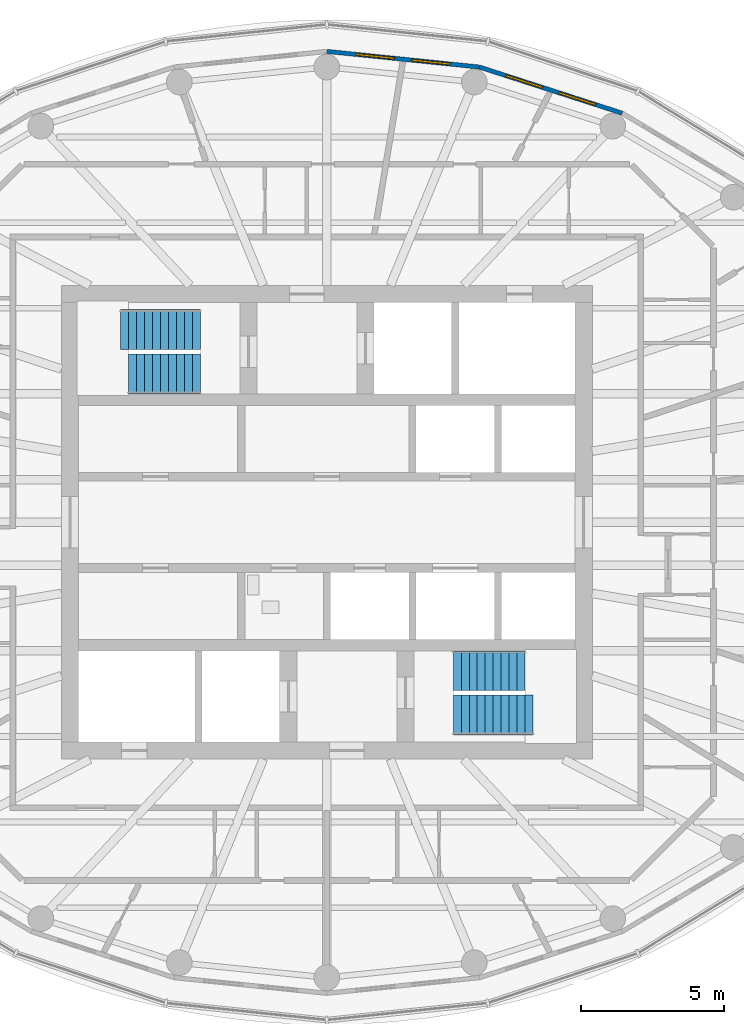
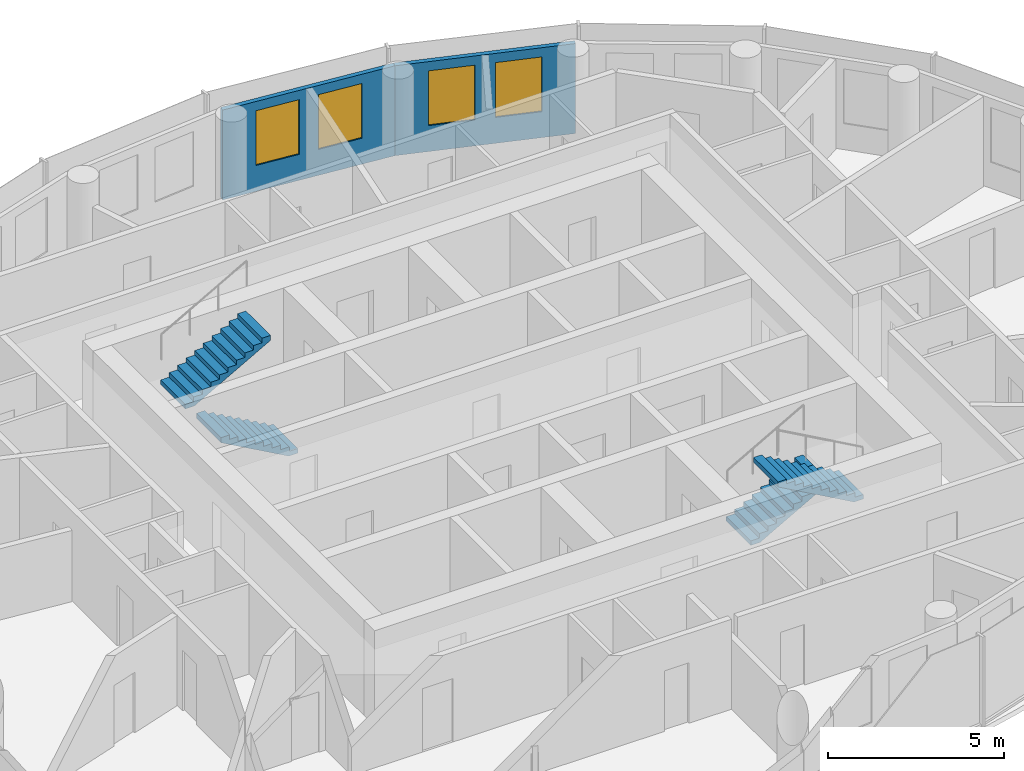
# One storey, part 10 of 12: 4 stair flights, 4 windows, 2 walls, 4 openings, 2 elements without a shape of their own.
"""IFC4 building model written with IfcOpenShell, lengths in metres."""

from ifc_helpers import new_model, si_unit, direction, frame, frame_2d, origin, place, context, subcontext, project, spatial, polyline, rectangle, outline, extrude, material, layer, layer_set, type_object, element, fill, aggregate, save


model = new_model("IFC4")

# Units and contexts
model_context = context("Model", 3, precision=1e-05, world=origin(), true_north=direction((0.0, 1.0)))
body_context = subcontext(model_context, "Body", "Model", "MODEL_VIEW")
ifc_project = project(units=[si_unit("LENGTHUNIT", "METRE"), si_unit("AREAUNIT", "SQUARE_METRE"), si_unit("VOLUMEUNIT", "CUBIC_METRE"), si_unit("PLANEANGLEUNIT", "RADIAN"), si_unit("MASSUNIT", "GRAM", prefix="KILO")], contexts=[model_context])

# Site, building, storey
site_placement = place(None, origin())
site = spatial("IfcSite", under=ifc_project, at=site_placement, CompositionType="ELEMENT")
building_placement = place(site_placement, origin())
building = spatial("IfcBuilding", under=site, at=building_placement, Name="Hankou Lantern Tower", CompositionType="ELEMENT")
storey_placement = place(building_placement, frame((0.0, 0.0, 219.300048828125)))
storey = spatial("IfcBuildingStorey", under=building, at=storey_placement, Name="L59", CompositionType="ELEMENT", Elevation=219.300048828125)

# Wall, openings, windows
ifc_material_1 = material(Name="Aluminium spandrel panel on steel studs", Category="steel")
ifc_layer = layer(ifc_material_1, 0.14990234375)
ifc_layer_set = layer_set([ifc_layer], Name="Aluminium spandrel panel on steel studs")
wall_type = type_object("IfcWallType", Name="EW1 INNER SKIN WALL 150", PredefinedType="ELEMENTEDWALL", material=ifc_layer_set)
wall_1_placement = place(storey_placement, frame((10.346435546875, 14.33642578125, 0.0), z_axis=(0.0, 0.0, 1.0), x_axis=(-0.951644702515, 0.307200846638, 0.0)))
wall_1 = element("IfcWall", 1, at=wall_1_placement, inside=storey, type_object=wall_type, Name="Inner skin R05-R06 L59", PredefinedType="ELEMENTEDWALL", context=body_context, shape_type="SweptSolid", body=[
    extrude(rectangle(XDim=5.2578125, YDim=0.14990234375, at=frame_2d((2.62890625, 0.0))), origin(), (0.0, 0.0, 1.0), 3.119873046875),
])
opening_1_placement = place(wall_1_placement, frame((0.97900390625, 0.0, 0.89990234375)))
opening_1 = element("IfcOpeningElement", 2, at=opening_1_placement, cuts=wall_1, Name="Opening W4", PredefinedType="OPENING", context=body_context, shape_type="SweptSolid", body=[
    extrude(rectangle(XDim=1.35009765625, YDim=1.89990234375, at=frame_2d((0.675048828125, 0.949951171875))), frame((0.0, 0.0849609375, 0.0), z_axis=(0.0, -1.0, 0.0), x_axis=(1.0, 0.0, 0.0)), (0.0, 0.0, 1.0), 0.169921875),
])
opening_2_placement = place(wall_1_placement, frame((2.928955078125, 0.0, 0.89990234375)))
opening_2 = element("IfcOpeningElement", 3, at=opening_2_placement, cuts=wall_1, Name="Opening W4", PredefinedType="OPENING", context=body_context, shape_type="SweptSolid", body=[
    extrude(rectangle(XDim=1.35009765625, YDim=1.89990234375, at=frame_2d((0.675048828125, 0.949951171875))), frame((0.0, 0.0849609375, 0.0), z_axis=(0.0, -1.0, 0.0), x_axis=(1.0, 0.0, 0.0)), (0.0, 0.0, 1.0), 0.169921875),
])
ifc_material_2 = material(Name="Aluminium framed double glazed window", Category="aluminium")
window_type = type_object("IfcWindowType", Name="W4 SUITE WINDOW 1350X1900", PartitioningType="DOUBLE_PANEL_VERTICAL", PredefinedType="WINDOW", material=ifc_material_2)
window_1_placement = place(opening_1_placement, origin())
window_1 = element("IfcWindow", 4, at=window_1_placement, inside=storey, type_object=window_type, Name="Window R05.1 L59", OverallHeight=1.89990234375, OverallWidth=1.35009765625, PartitioningType="SINGLE_PANEL", PredefinedType="WINDOW", context=body_context, shape_type="SweptSolid", body=[
    extrude(rectangle(XDim=1.35009765625, YDim=1.89990234375, at=frame_2d((0.675048828125, 0.949951171875))), frame((0.0, 0.030029296875, 0.0), z_axis=(0.0, -1.0, 0.0), x_axis=(1.0, 0.0, 0.0)), (0.0, 0.0, 1.0), 0.06005859375),
])
fill(opening_1, window_1)
window_2_placement = place(opening_2_placement, origin())
window_2 = element("IfcWindow", 5, at=window_2_placement, inside=storey, type_object=window_type, Name="Window R05.2 L59", OverallHeight=1.89990234375, OverallWidth=1.35009765625, PartitioningType="SINGLE_PANEL", PredefinedType="WINDOW", context=body_context, shape_type="SweptSolid", body=[
    extrude(rectangle(XDim=1.35009765625, YDim=1.89990234375, at=frame_2d((0.675048828125, 0.949951171875))), frame((0.0, 0.030029296875, 0.0), z_axis=(0.0, -1.0, 0.0), x_axis=(1.0, 0.0, 0.0)), (0.0, 0.0, 1.0), 0.06005859375),
])
fill(opening_2, window_2)

wall_2_placement = place(storey_placement, frame((5.3427734375, 15.95166015625, 0.0), z_axis=(0.0, 0.0, 1.0), x_axis=(-0.994774574972, 0.102095763818, 0.0)))
wall_2 = element("IfcWall", 6, at=wall_2_placement, inside=storey, type_object=wall_type, Name="Inner skin R06-R07 L59", PredefinedType="ELEMENTEDWALL", context=body_context, shape_type="SweptSolid", body=[
    extrude(rectangle(XDim=5.370849609375, YDim=0.14990234375, at=frame_2d((2.685546875, 0.0))), origin(), (0.0, 0.0, 1.0), 3.119873046875),
])
opening_3_placement = place(wall_2_placement, frame((1.035400390625, 0.0, 0.89990234375)))
opening_3 = element("IfcOpeningElement", 7, at=opening_3_placement, cuts=wall_2, Name="Opening W4", PredefinedType="OPENING", context=body_context, shape_type="SweptSolid", body=[
    extrude(rectangle(XDim=1.35009765625, YDim=1.89990234375, at=frame_2d((0.675048828125, 0.949951171875))), frame((0.0, 0.0849609375, 0.0), z_axis=(0.0, -1.0, 0.0), x_axis=(1.0, 0.0, 0.0)), (0.0, 0.0, 1.0), 0.169921875),
])
opening_4_placement = place(wall_2_placement, frame((2.9853515625, 0.0, 0.89990234375)))
opening_4 = element("IfcOpeningElement", 8, at=opening_4_placement, cuts=wall_2, Name="Opening W4", PredefinedType="OPENING", context=body_context, shape_type="SweptSolid", body=[
    extrude(rectangle(XDim=1.35009765625, YDim=1.89990234375, at=frame_2d((0.675048828125, 0.949951171875))), frame((0.0, 0.0849609375, 0.0), z_axis=(0.0, -1.0, 0.0), x_axis=(1.0, 0.0, 0.0)), (0.0, 0.0, 1.0), 0.169921875),
])
window_3_placement = place(opening_3_placement, origin())
window_3 = element("IfcWindow", 9, at=window_3_placement, inside=storey, type_object=window_type, Name="Window R06.1 L59", OverallHeight=1.89990234375, OverallWidth=1.35009765625, PartitioningType="SINGLE_PANEL", PredefinedType="WINDOW", context=body_context, shape_type="SweptSolid", body=[
    extrude(rectangle(XDim=1.35009765625, YDim=1.89990234375, at=frame_2d((0.675048828125, 0.949951171875))), frame((0.0, 0.030029296875, 0.0), z_axis=(0.0, -1.0, 0.0), x_axis=(1.0, 0.0, 0.0)), (0.0, 0.0, 1.0), 0.06005859375),
])
fill(opening_3, window_3)
window_4_placement = place(opening_4_placement, origin())
window_4 = element("IfcWindow", 10, at=window_4_placement, inside=storey, type_object=window_type, Name="Window R06.2 L59", OverallHeight=1.89990234375, OverallWidth=1.35009765625, PartitioningType="SINGLE_PANEL", PredefinedType="WINDOW", context=body_context, shape_type="SweptSolid", body=[
    extrude(rectangle(XDim=1.35009765625, YDim=1.89990234375, at=frame_2d((0.675048828125, 0.949951171875))), frame((0.0, 0.030029296875, 0.0), z_axis=(0.0, -1.0, 0.0), x_axis=(1.0, 0.0, 0.0)), (0.0, 0.0, 1.0), 0.06005859375),
])
fill(opening_4, window_4)

# Stair, stair flight
ifc_material_3 = material(Name="Concrete C40", Category="concrete")
stair_type = type_object("IfcStairType", Name="ST33 CORE STAIR 3300 RISE", PredefinedType="HALF_TURN_STAIR", material=ifc_material_3)
stair_1_placement = place(storey_placement, origin())
stair_1 = element("IfcStair", 11, at=stair_1_placement, inside=storey, type_object=stair_type, Name="Stair STA L59", PredefinedType="HALF_TURN_STAIR")
ifc_material_4 = material(Name="Concrete C40", Category="concrete")
stair_flight_type_1 = type_object("IfcStairFlightType", Name="CF10 CORE STAIR FLIGHT 1400 X 10 RISERS", PredefinedType="STRAIGHT", material=ifc_material_4)
stair_flight_1_placement = place(storey_placement, frame((-4.429931640625, 5.199951171875, 0.0), z_axis=(0.0, 0.0, 1.0), x_axis=(-1.0, 0.0, 0.0)))
stair_flight_1 = element("IfcStairFlight", 12, at=stair_flight_1_placement, type_object=stair_flight_type_1, Name="STA flight 1", NumberOfRisers=10, NumberOfTreads=9, PredefinedType="STRAIGHT", RiserHeight=0.157142857, TreadLength=0.28, context=body_context, shape_type="SweptSolid", body=[
    extrude(outline(polyline([(0.0, 0.0), (0.0, 0.1572265625), (0.280029296875, 0.1572265625), (0.280029296875, 0.314208984375), (0.56005859375, 0.314208984375), (0.56005859375, 0.471435546875), (0.840087890625, 0.471435546875), (0.840087890625, 0.628662109375), (1.1201171875, 0.628662109375), (1.1201171875, 0.78564453125), (1.39990234375, 0.78564453125), (1.39990234375, 0.94287109375), (1.679931640625, 0.94287109375), (1.679931640625, 1.10009765625), (1.9599609375, 1.10009765625), (1.9599609375, 1.257080078125), (2.239990234375, 1.257080078125), (2.239990234375, 1.414306640625), (2.52001953125, 1.414306640625), (2.52001953125, 1.571533203125), (2.52001953125, 1.242431640625), (0.306396484375, 0.0), (0.0, 0.0)])), frame((0.0, 0.699951171875, 0.0), z_axis=(0.0, -1.0, 0.0), x_axis=(1.0, 0.0, 0.0)), (0.0, 0.0, 1.0), 1.39990234375),
])

stair_2_placement = place(storey_placement, origin())
stair_2 = element("IfcStair", 13, at=stair_2_placement, inside=storey, type_object=stair_type, Name="Stair STB L59", PredefinedType="HALF_TURN_STAIR")
stair_flight_2_placement = place(storey_placement, frame((4.429931640625, -5.199951171875, 0.0), z_axis=(0.0, 0.0, 1.0), x_axis=(1.0, 0.0, 0.0)))
stair_flight_2 = element("IfcStairFlight", 14, at=stair_flight_2_placement, type_object=stair_flight_type_1, Name="STB flight 1", NumberOfRisers=10, NumberOfTreads=9, PredefinedType="STRAIGHT", RiserHeight=0.157142857, TreadLength=0.28, context=body_context, shape_type="SweptSolid", body=[
    extrude(outline(polyline([(0.0, 0.0), (0.0, 0.1572265625), (0.280029296875, 0.1572265625), (0.280029296875, 0.314208984375), (0.56005859375, 0.314208984375), (0.56005859375, 0.471435546875), (0.840087890625, 0.471435546875), (0.840087890625, 0.628662109375), (1.1201171875, 0.628662109375), (1.1201171875, 0.78564453125), (1.39990234375, 0.78564453125), (1.39990234375, 0.94287109375), (1.679931640625, 0.94287109375), (1.679931640625, 1.10009765625), (1.9599609375, 1.10009765625), (1.9599609375, 1.257080078125), (2.239990234375, 1.257080078125), (2.239990234375, 1.414306640625), (2.52001953125, 1.414306640625), (2.52001953125, 1.571533203125), (2.52001953125, 1.242431640625), (0.306396484375, 0.0), (0.0, 0.0)])), frame((0.0, 0.699951171875, 0.0), z_axis=(0.0, -1.0, 0.0), x_axis=(1.0, 0.0, 0.0)), (0.0, 0.0, 1.0), 1.39990234375),
])

# Stair flight
ifc_material_5 = material(Name="Concrete C40", Category="concrete")
stair_flight_type_2 = type_object("IfcStairFlightType", Name="CF11 CORE STAIR FLIGHT 1400 X 11 RISERS", PredefinedType="STRAIGHT", material=ifc_material_5)
stair_flight_3_placement = place(storey_placement, frame((-7.22998046875, 6.75, 1.5712890625), z_axis=(0.0, 0.0, 1.0), x_axis=(1.0, 0.0, 0.0)))
stair_flight_3 = element("IfcStairFlight", 15, at=stair_flight_3_placement, type_object=stair_flight_type_2, Name="STA flight 2", NumberOfRisers=11, NumberOfTreads=10, PredefinedType="STRAIGHT", RiserHeight=0.157142857, TreadLength=0.28, context=body_context, shape_type="SweptSolid", body=[
    extrude(outline(polyline([(0.0, 0.0), (0.0, 0.1572265625), (0.280029296875, 0.1572265625), (0.280029296875, 0.314208984375), (0.56005859375, 0.314208984375), (0.56005859375, 0.471435546875), (0.840087890625, 0.471435546875), (0.840087890625, 0.628662109375), (1.1201171875, 0.628662109375), (1.1201171875, 0.78564453125), (1.39990234375, 0.78564453125), (1.39990234375, 0.94287109375), (1.679931640625, 0.94287109375), (1.679931640625, 1.10009765625), (1.9599609375, 1.10009765625), (1.9599609375, 1.257080078125), (2.239990234375, 1.257080078125), (2.239990234375, 1.414306640625), (2.52001953125, 1.414306640625), (2.52001953125, 1.571533203125), (2.800048828125, 1.571533203125), (2.800048828125, 1.728515625), (2.800048828125, 1.3994140625), (0.306396484375, 0.0), (0.0, 0.0)])), frame((0.0, 0.699951171875, 0.0), z_axis=(0.0, -1.0, 0.0), x_axis=(1.0, 0.0, 0.0)), (0.0, 0.0, 1.0), 1.39990234375),
])

aggregate(stair_1, [stair_flight_1, stair_flight_3])

stair_flight_4_placement = place(storey_placement, frame((7.22998046875, -6.75, 1.5712890625), z_axis=(0.0, 0.0, 1.0), x_axis=(-1.0, 0.0, 0.0)))
stair_flight_4 = element("IfcStairFlight", 16, at=stair_flight_4_placement, type_object=stair_flight_type_2, Name="STB flight 2", NumberOfRisers=11, NumberOfTreads=10, PredefinedType="STRAIGHT", RiserHeight=0.157142857, TreadLength=0.28, context=body_context, shape_type="SweptSolid", body=[
    extrude(outline(polyline([(0.0, 0.0), (0.0, 0.1572265625), (0.280029296875, 0.1572265625), (0.280029296875, 0.314208984375), (0.56005859375, 0.314208984375), (0.56005859375, 0.471435546875), (0.840087890625, 0.471435546875), (0.840087890625, 0.628662109375), (1.1201171875, 0.628662109375), (1.1201171875, 0.78564453125), (1.39990234375, 0.78564453125), (1.39990234375, 0.94287109375), (1.679931640625, 0.94287109375), (1.679931640625, 1.10009765625), (1.9599609375, 1.10009765625), (1.9599609375, 1.257080078125), (2.239990234375, 1.257080078125), (2.239990234375, 1.414306640625), (2.52001953125, 1.414306640625), (2.52001953125, 1.571533203125), (2.800048828125, 1.571533203125), (2.800048828125, 1.728515625), (2.800048828125, 1.3994140625), (0.306396484375, 0.0), (0.0, 0.0)])), frame((0.0, 0.699951171875, 0.0), z_axis=(0.0, -1.0, 0.0), x_axis=(1.0, 0.0, 0.0)), (0.0, 0.0, 1.0), 1.39990234375),
])

aggregate(stair_2, [stair_flight_2, stair_flight_4])

save(model, "model.ifc")
